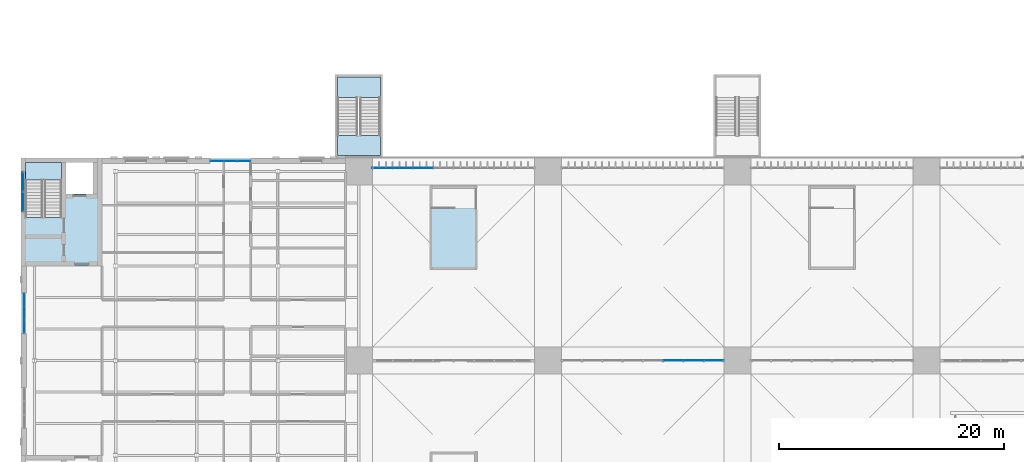
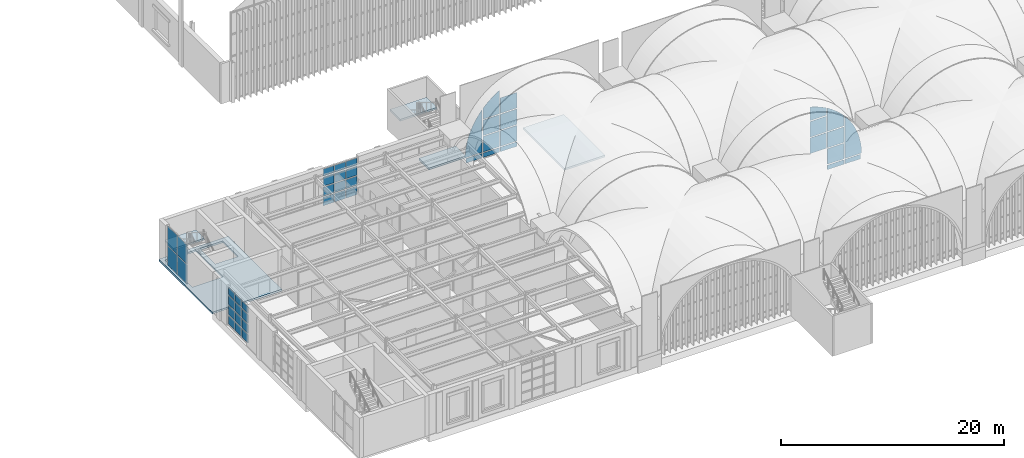
# One storey, part 78 of 169: 47 plates, 5 slabs, 7 elements without a shape of their own.
"""IFC4 building model written with IfcOpenShell, lengths in metres."""

from ifc_helpers import new_model, si_unit, direction, frame, origin, origin_2d, place, context, subcontext, project, spatial, polyline, rectangle, outline, extrude, material, layer, layer_set, type_object, element, aggregate, save


model = new_model("IFC4")

# Units and contexts
model_context = context("Model", 3, precision=1e-05, world=origin(), true_north=direction((0.0, 1.0)))
body_context = subcontext(model_context, "Body", "Model", "MODEL_VIEW")
ifc_project = project(units=[si_unit("LENGTHUNIT", "METRE"), si_unit("AREAUNIT", "SQUARE_METRE"), si_unit("VOLUMEUNIT", "CUBIC_METRE"), si_unit("PLANEANGLEUNIT", "RADIAN"), si_unit("MASSUNIT", "GRAM", prefix="KILO")], contexts=[model_context])

# Site, building, storey
site_placement = place(None, origin())
site = spatial("IfcSite", under=ifc_project, at=site_placement, CompositionType="ELEMENT")
building_placement = place(site_placement, origin())
building = spatial("IfcBuilding", under=site, at=building_placement, Name="Verrick Yard Athletic Hall", CompositionType="ELEMENT")
storey_placement = place(building_placement, frame((0.0, 0.0, 4.39990234375)))
storey = spatial("IfcBuildingStorey", under=building, at=storey_placement, Name="L01", CompositionType="ELEMENT", Elevation=4.39990234375)

# Slabs
ifc_material_1 = material(Name="Concrete 35 MPa", Category="concrete")
ifc_layer_1 = layer(ifc_material_1, 0.199951171875)
ifc_layer_set_1 = layer_set([ifc_layer_1], Name="Core floor slab 200")
slab_type_1 = type_object("IfcSlabType", Name="Core floor slab 200", PredefinedType="FLOOR", material=ifc_layer_set_1)
slab_1_placement = place(storey_placement, frame((0.0, 0.0, -0.199951171875)))
element("IfcSlab", 1, at=slab_1_placement, inside=storey, type_object=slab_type_1, Name="CORE-CB2-FLR-L01", PredefinedType="FLOOR", context=body_context, shape_type="SweptSolid", body=[
    extrude(outline(polyline([(10.0, 44.39990234375), (17.199951171875, 44.39990234375), (17.199951171875, 54.0), (10.0, 54.0), (10.0, 44.39990234375)]), holes=[polyline([(13.596923828125, 48.702880859375), (10.403076171875, 48.702880859375), (10.403076171875, 53.596923828125), (13.596923828125, 53.596923828125), (13.596923828125, 48.702880859375)]), polyline([(14.0029296875, 50.802978515625), (14.0029296875, 53.596923828125), (16.39697265625, 53.596923828125), (16.39697265625, 50.802978515625), (14.0029296875, 50.802978515625)])]), origin(), (0.0, 0.0, 1.0), 0.199951171875),
])
slab_2_placement = place(storey_placement, frame((0.0, 0.0, -0.199951171875)))
element("IfcSlab", 2, at=slab_2_placement, inside=storey, type_object=slab_type_1, Name="CORE-DT-N1-NL-L01", PredefinedType="FLOOR", context=body_context, shape_type="SweptSolid", body=[
    extrude(outline(polyline([(41.89990234375, 54.199951171875), (41.89990234375, 56.0), (38.10009765625, 56.0), (38.10009765625, 54.199951171875), (41.89990234375, 54.199951171875)])), origin(), (0.0, 0.0, 1.0), 0.199951171875),
])

# Curtain wall, plates
ifc_material_2 = material(Name="Aluminium 6063-T5", Category="aluminium")
curtain_wall_type_1 = type_object("IfcCurtainWallType", Name="Core glazing strip", PredefinedType="NOTDEFINED", material=ifc_material_2)
curtain_wall_1_placement = place(storey_placement, origin())
curtain_wall_1 = element("IfcCurtainWall", 3, at=curtain_wall_1_placement, inside=storey, type_object=curtain_wall_type_1, Name="CORE-CB2-CW-L01", PredefinedType="NOTDEFINED")
ifc_material_3 = material(Name="Glass IGU low-e", Category="glass")
ifc_layer_2 = layer(ifc_material_3, 0.028076171875)
ifc_layer_set_2 = layer_set([ifc_layer_2], Name="Core glazing panel 28")
plate_type_1 = type_object("IfcPlateType", Name="Core glazing panel 28", PredefinedType="CURTAIN_PANEL", material=ifc_layer_set_2)
plate_1_placement = place(storey_placement, frame((10.199951171875, 50.114990234375, 0.06005859375), z_axis=(0.0, 0.0, 1.0), x_axis=(0.0, 1.0, 0.0)))
plate_1 = element("IfcPlate", 4, at=plate_1_placement, type_object=plate_type_1, Name="CW5 panel 1.1", PredefinedType="CURTAIN_PANEL", context=body_context, shape_type="SweptSolid", body=[
    extrude(rectangle(XDim=1.7099609375, YDim=0.028076171875, at=origin_2d()), origin(), (0.0, 0.0, 1.0), 2.110107421875),
])
plate_2_placement = place(storey_placement, frame((10.199951171875, 50.114990234375, 2.22998046875), z_axis=(0.0, 0.0, 1.0), x_axis=(0.0, 1.0, 0.0)))
plate_2 = element("IfcPlate", 5, at=plate_2_placement, type_object=plate_type_1, Name="CW5 panel 1.2", PredefinedType="CURTAIN_PANEL", context=body_context, shape_type="SweptSolid", body=[
    extrude(rectangle(XDim=1.7099609375, YDim=0.028076171875, at=origin_2d()), origin(), (0.0, 0.0, 1.0), 2.110107421875),
])
plate_3_placement = place(storey_placement, frame((10.199951171875, 51.885009765625, 0.06005859375), z_axis=(0.0, 0.0, 1.0), x_axis=(0.0, 1.0, 0.0)))
plate_3 = element("IfcPlate", 6, at=plate_3_placement, type_object=plate_type_1, Name="CW5 panel 2.1", PredefinedType="CURTAIN_PANEL", context=body_context, shape_type="SweptSolid", body=[
    extrude(rectangle(XDim=1.7099609375, YDim=0.028076171875, at=origin_2d()), origin(), (0.0, 0.0, 1.0), 2.110107421875),
])
plate_4_placement = place(storey_placement, frame((10.199951171875, 51.885009765625, 2.22998046875), z_axis=(0.0, 0.0, 1.0), x_axis=(0.0, 1.0, 0.0)))
plate_4 = element("IfcPlate", 7, at=plate_4_placement, type_object=plate_type_1, Name="CW5 panel 2.2", PredefinedType="CURTAIN_PANEL", context=body_context, shape_type="SweptSolid", body=[
    extrude(rectangle(XDim=1.7099609375, YDim=0.028076171875, at=origin_2d()), origin(), (0.0, 0.0, 1.0), 2.110107421875),
])
aggregate(curtain_wall_1, [plate_1, plate_2, plate_3, plate_4])

# Slab
ifc_layer_3 = layer(ifc_material_1, 0.199951171875)
ifc_layer_set_3 = layer_set([ifc_layer_3], Name="Core roof slab 200")
slab_type_2 = type_object("IfcSlabType", Name="Core roof slab 200", PredefinedType="ROOF", material=ifc_layer_set_3)
slab_3_placement = place(storey_placement, frame((0.0, 0.0, 3.0)))
element("IfcSlab", 8, at=slab_3_placement, inside=storey, type_object=slab_type_2, Name="CORE-PS-N1-COVER", PredefinedType="ROOF", context=body_context, shape_type="SweptSolid", body=[
    extrude(outline(polyline([(46.300048828125, 44.10009765625), (50.5, 44.10009765625), (50.5, 51.5), (46.300048828125, 51.5), (46.300048828125, 44.10009765625)])), origin(), (0.0, 0.0, 1.0), 0.2001953125),
])

# Curtain wall, plates
ifc_material_4 = material(Name="Aluminium and glass curtain wall", Category="aluminium")
ifc_layer_4 = layer(ifc_material_4, 0.14990234375)
ifc_layer_set_4 = layer_set([ifc_layer_4], Name="Arcade glazing arch")
curtain_wall_type_2 = type_object("IfcCurtainWallType", Name="Arcade glazing arch", PredefinedType="NOTDEFINED", material=ifc_layer_set_4)
curtain_wall_2_placement = place(storey_placement, origin())
curtain_wall_2 = element("IfcCurtainWall", 9, at=curtain_wall_2_placement, inside=storey, type_object=curtain_wall_type_2, Name="Arcade glazing N1", PredefinedType="NOTDEFINED")
ifc_material_5 = material(Name="Laminated glass 28 mm", Category="glass")
ifc_layer_5 = layer(ifc_material_5, 0.028076171875)
ifc_layer_set_5 = layer_set([ifc_layer_5], Name="Curtain wall glass panel")
plate_type_2 = type_object("IfcPlateType", Name="Curtain wall glass panel", PredefinedType="CURTAIN_PANEL", material=ifc_layer_set_5)
plate_5_placement = place(storey_placement, frame((41.199951171875, 53.10009765625, 0.101806640625), z_axis=(0.0, 0.0, 1.0), x_axis=(1.0, 0.0, 0.0)))
plate_5 = element("IfcPlate", 10, at=plate_5_placement, type_object=plate_type_2, Name="Arcade glazing N1 panel 1", PredefinedType="CURTAIN_PANEL", context=body_context, shape_type="SweptSolid", body=[
    extrude(outline(polyline([(1.749267578125, 0.0), (1.749267578125, 0.49755859375), (0.10205078125, 0.49755859375), (0.10205078125, 0.0), (1.749267578125, 0.0)])), frame((0.0, 0.01416015625, 0.0), z_axis=(0.0, -1.0, 0.0), x_axis=(1.0, 0.0, 0.0)), (0.0, 0.0, 1.0), 0.028076171875),
])
plate_6_placement = place(storey_placement, frame((41.199951171875, 53.10009765625, 0.700927734375), z_axis=(0.0, 0.0, 1.0), x_axis=(1.0, 0.0, 0.0)))
plate_6 = element("IfcPlate", 11, at=plate_6_placement, type_object=plate_type_2, Name="Arcade glazing N1 panel 2", PredefinedType="CURTAIN_PANEL", context=body_context, shape_type="SweptSolid", body=[
    extrude(outline(polyline([(1.749267578125, 4.651123046875), (1.6845703125, 4.5771484375), (1.48779296875, 4.332275390625), (1.302001953125, 4.078857421875), (1.127685546875, 3.81787109375), (0.964599609375, 3.549072265625), (0.8134765625, 3.273681640625), (0.674560546875, 2.9921875), (0.548095703125, 2.70458984375), (0.43408203125, 2.41162109375), (0.333251953125, 2.1142578125), (0.245361328125, 1.812744140625), (0.170654296875, 1.507568359375), (0.109375, 1.199462890625), (0.0615234375, 0.888916015625), (0.02734375, 0.57666015625), (0.0068359375, 0.26318359375), (0.001220703125, 0.0), (1.749267578125, 0.0), (1.749267578125, 4.651123046875)])), frame((0.0, 0.01416015625, 0.0), z_axis=(0.0, -1.0, 0.0), x_axis=(1.0, 0.0, 0.0)), (0.0, 0.0, 1.0), 0.028076171875),
])
plate_7_placement = place(storey_placement, frame((41.199951171875, 53.10009765625, 0.101806640625), z_axis=(0.0, 0.0, 1.0), x_axis=(1.0, 0.0, 0.0)))
plate_7 = element("IfcPlate", 12, at=plate_7_placement, type_object=plate_type_2, Name="Arcade glazing N1 panel 3", PredefinedType="CURTAIN_PANEL", context=body_context, shape_type="SweptSolid", body=[
    extrude(outline(polyline([(3.54931640625, 0.0), (3.54931640625, 0.49755859375), (1.850830078125, 0.49755859375), (1.850830078125, 0.0), (3.54931640625, 0.0)])), frame((0.0, 0.01416015625, 0.0), z_axis=(0.0, -1.0, 0.0), x_axis=(1.0, 0.0, 0.0)), (0.0, 0.0, 1.0), 0.028076171875),
])
plate_8_placement = place(storey_placement, frame((41.199951171875, 53.10009765625, 0.700927734375), z_axis=(0.0, 0.0, 1.0), x_axis=(1.0, 0.0, 0.0)))
plate_8 = element("IfcPlate", 13, at=plate_8_placement, type_object=plate_type_2, Name="Arcade glazing N1 panel 4", PredefinedType="CURTAIN_PANEL", context=body_context, shape_type="SweptSolid", body=[
    extrude(outline(polyline([(3.54931640625, 0.0), (3.54931640625, 1.698486328125), (1.850830078125, 1.698486328125), (1.850830078125, 0.0), (3.54931640625, 0.0)])), frame((0.0, 0.01416015625, 0.0), z_axis=(0.0, -1.0, 0.0), x_axis=(1.0, 0.0, 0.0)), (0.0, 0.0, 1.0), 0.028076171875),
])
plate_9_placement = place(storey_placement, frame((41.199951171875, 53.10009765625, 2.5009765625), z_axis=(0.0, 0.0, 1.0), x_axis=(1.0, 0.0, 0.0)))
plate_9 = element("IfcPlate", 14, at=plate_9_placement, type_object=plate_type_2, Name="Arcade glazing N1 panel 5", PredefinedType="CURTAIN_PANEL", context=body_context, shape_type="SweptSolid", body=[
    extrude(outline(polyline([(3.54931640625, 0.0), (3.54931640625, 1.6982421875), (1.850830078125, 1.6982421875), (1.850830078125, 0.0), (3.54931640625, 0.0)])), frame((0.0, 0.01416015625, 0.0), z_axis=(0.0, -1.0, 0.0), x_axis=(1.0, 0.0, 0.0)), (0.0, 0.0, 1.0), 0.028076171875),
])
plate_10_placement = place(storey_placement, frame((41.199951171875, 53.10009765625, 4.30078125), z_axis=(0.0, 0.0, 1.0), x_axis=(1.0, 0.0, 0.0)))
plate_10 = element("IfcPlate", 15, at=plate_10_placement, type_object=plate_type_2, Name="Arcade glazing N1 panel 6", PredefinedType="CURTAIN_PANEL", context=body_context, shape_type="SweptSolid", body=[
    extrude(outline(polyline([(3.54931640625, 2.553955078125), (3.331298828125, 2.421630859375), (3.0703125, 2.247314453125), (2.81689453125, 2.0615234375), (2.572021484375, 1.86474609375), (2.335693359375, 1.65771484375), (2.10888671875, 1.4404296875), (1.8916015625, 1.213623046875), (1.850830078125, 1.1669921875), (1.850830078125, 0.0), (3.54931640625, 0.0), (3.54931640625, 2.553955078125)])), frame((0.0, 0.01416015625, 0.0), z_axis=(0.0, -1.0, 0.0), x_axis=(1.0, 0.0, 0.0)), (0.0, 0.0, 1.0), 0.028076171875),
])
plate_11_placement = place(storey_placement, frame((41.199951171875, 53.10009765625, 0.101806640625), z_axis=(0.0, 0.0, 1.0), x_axis=(1.0, 0.0, 0.0)))
plate_11 = element("IfcPlate", 16, at=plate_11_placement, type_object=plate_type_2, Name="Arcade glazing N1 panel 7", PredefinedType="CURTAIN_PANEL", context=body_context, shape_type="SweptSolid", body=[
    extrude(outline(polyline([(5.34912109375, 0.0), (5.34912109375, 0.49755859375), (3.65087890625, 0.49755859375), (3.65087890625, 0.0), (5.34912109375, 0.0)])), frame((0.0, 0.01416015625, 0.0), z_axis=(0.0, -1.0, 0.0), x_axis=(1.0, 0.0, 0.0)), (0.0, 0.0, 1.0), 0.028076171875),
])
plate_12_placement = place(storey_placement, frame((41.199951171875, 53.10009765625, 0.700927734375), z_axis=(0.0, 0.0, 1.0), x_axis=(1.0, 0.0, 0.0)))
plate_12 = element("IfcPlate", 17, at=plate_12_placement, type_object=plate_type_2, Name="Arcade glazing N1 panel 8", PredefinedType="CURTAIN_PANEL", context=body_context, shape_type="SweptSolid", body=[
    extrude(outline(polyline([(5.34912109375, 0.0), (5.34912109375, 1.698486328125), (3.65087890625, 1.698486328125), (3.65087890625, 0.0), (5.34912109375, 0.0)])), frame((0.0, 0.01416015625, 0.0), z_axis=(0.0, -1.0, 0.0), x_axis=(1.0, 0.0, 0.0)), (0.0, 0.0, 1.0), 0.028076171875),
])
plate_13_placement = place(storey_placement, frame((41.199951171875, 53.10009765625, 2.5009765625), z_axis=(0.0, 0.0, 1.0), x_axis=(1.0, 0.0, 0.0)))
plate_13 = element("IfcPlate", 18, at=plate_13_placement, type_object=plate_type_2, Name="Arcade glazing N1 panel 9", PredefinedType="CURTAIN_PANEL", context=body_context, shape_type="SweptSolid", body=[
    extrude(outline(polyline([(5.34912109375, 0.0), (5.34912109375, 1.6982421875), (3.65087890625, 1.6982421875), (3.65087890625, 0.0), (5.34912109375, 0.0)])), frame((0.0, 0.01416015625, 0.0), z_axis=(0.0, -1.0, 0.0), x_axis=(1.0, 0.0, 0.0)), (0.0, 0.0, 1.0), 0.028076171875),
])
plate_14_placement = place(storey_placement, frame((41.199951171875, 53.10009765625, 4.30078125), z_axis=(0.0, 0.0, 1.0), x_axis=(1.0, 0.0, 0.0)))
plate_14 = element("IfcPlate", 19, at=plate_14_placement, type_object=plate_type_2, Name="Arcade glazing N1 panel 10", PredefinedType="CURTAIN_PANEL", context=body_context, shape_type="SweptSolid", body=[
    extrude(outline(polyline([(5.34912109375, 0.0), (5.34912109375, 1.698486328125), (3.65087890625, 1.698486328125), (3.65087890625, 0.0), (5.34912109375, 0.0)])), frame((0.0, 0.01416015625, 0.0), z_axis=(0.0, -1.0, 0.0), x_axis=(1.0, 0.0, 0.0)), (0.0, 0.0, 1.0), 0.028076171875),
])
aggregate(curtain_wall_2, [plate_5, plate_6, plate_7, plate_8, plate_9, plate_10, plate_11, plate_12, plate_13, plate_14])

ifc_layer_6 = layer(ifc_material_4, 0.14990234375)
ifc_layer_set_6 = layer_set([ifc_layer_6], Name="Concourse arch screen")
curtain_wall_type_3 = type_object("IfcCurtainWallType", Name="Concourse arch screen", PredefinedType="NOTDEFINED", material=ifc_layer_set_6)
curtain_wall_3_placement = place(storey_placement, origin())
curtain_wall_3 = element("IfcCurtainWall", 20, at=curtain_wall_3_placement, inside=storey, type_object=curtain_wall_type_3, Name="Concourse screen 2", PredefinedType="NOTDEFINED")
plate_15_placement = place(storey_placement, frame((58.0, 36.0, 2.5009765625), z_axis=(0.0, 0.0, 1.0), x_axis=(1.0, 0.0, 0.0)))
plate_15 = element("IfcPlate", 21, at=plate_15_placement, type_object=plate_type_2, Name="Concourse screen 2 panel 24", PredefinedType="CURTAIN_PANEL", context=body_context, shape_type="SweptSolid", body=[
    extrude(outline(polyline([(10.749267578125, 0.0), (10.749267578125, 1.6982421875), (9.05078125, 1.6982421875), (9.05078125, 0.0), (10.749267578125, 0.0)])), frame((0.0, 0.01416015625, 0.0), z_axis=(0.0, -1.0, 0.0), x_axis=(1.0, 0.0, 0.0)), (0.0, 0.0, 1.0), 0.028076171875),
])
plate_16_placement = place(storey_placement, frame((58.0, 36.0, 4.30078125), z_axis=(0.0, 0.0, 1.0), x_axis=(1.0, 0.0, 0.0)))
plate_16 = element("IfcPlate", 22, at=plate_16_placement, type_object=plate_type_2, Name="Concourse screen 2 panel 25", PredefinedType="CURTAIN_PANEL", context=body_context, shape_type="SweptSolid", body=[
    extrude(outline(polyline([(10.749267578125, 0.0), (10.749267578125, 1.698486328125), (9.05078125, 1.698486328125), (9.05078125, 0.0), (10.749267578125, 0.0)])), frame((0.0, 0.01416015625, 0.0), z_axis=(0.0, -1.0, 0.0), x_axis=(1.0, 0.0, 0.0)), (0.0, 0.0, 1.0), 0.028076171875),
])
plate_17_placement = place(storey_placement, frame((58.0, 36.0, 6.100830078125), z_axis=(0.0, 0.0, 1.0), x_axis=(1.0, 0.0, 0.0)))
plate_17 = element("IfcPlate", 23, at=plate_17_placement, type_object=plate_type_2, Name="Concourse screen 2 panel 26", PredefinedType="CURTAIN_PANEL", context=body_context, shape_type="SweptSolid", body=[
    extrude(outline(polyline([(10.749267578125, 0.8125), (10.524658203125, 0.935791015625), (10.242919921875, 1.07470703125), (9.955322265625, 1.201171875), (9.66259765625, 1.315185546875), (9.364990234375, 1.416015625), (9.0634765625, 1.50390625), (9.05078125, 1.507080078125), (9.05078125, 0.0), (10.749267578125, 0.0), (10.749267578125, 0.8125)])), frame((0.0, 0.01416015625, 0.0), z_axis=(0.0, -1.0, 0.0), x_axis=(1.0, 0.0, 0.0)), (0.0, 0.0, 1.0), 0.028076171875),
])
plate_18_placement = place(storey_placement, frame((58.0, 36.0, 0.101806640625), z_axis=(0.0, 0.0, 1.0), x_axis=(1.0, 0.0, 0.0)))
plate_18 = element("IfcPlate", 24, at=plate_18_placement, type_object=plate_type_2, Name="Concourse screen 2 panel 27", PredefinedType="CURTAIN_PANEL", context=body_context, shape_type="SweptSolid", body=[
    extrude(outline(polyline([(12.54931640625, 0.0), (12.54931640625, 0.49755859375), (10.850830078125, 0.49755859375), (10.850830078125, 0.0), (12.54931640625, 0.0)])), frame((0.0, 0.01416015625, 0.0), z_axis=(0.0, -1.0, 0.0), x_axis=(1.0, 0.0, 0.0)), (0.0, 0.0, 1.0), 0.028076171875),
])
plate_19_placement = place(storey_placement, frame((58.0, 36.0, 0.700927734375), z_axis=(0.0, 0.0, 1.0), x_axis=(1.0, 0.0, 0.0)))
plate_19 = element("IfcPlate", 25, at=plate_19_placement, type_object=plate_type_2, Name="Concourse screen 2 panel 28", PredefinedType="CURTAIN_PANEL", context=body_context, shape_type="SweptSolid", body=[
    extrude(outline(polyline([(12.54931640625, 0.0), (12.54931640625, 1.698486328125), (10.850830078125, 1.698486328125), (10.850830078125, 0.0), (12.54931640625, 0.0)])), frame((0.0, 0.01416015625, 0.0), z_axis=(0.0, -1.0, 0.0), x_axis=(1.0, 0.0, 0.0)), (0.0, 0.0, 1.0), 0.028076171875),
])
plate_20_placement = place(storey_placement, frame((58.0, 36.0, 2.5009765625), z_axis=(0.0, 0.0, 1.0), x_axis=(1.0, 0.0, 0.0)))
plate_20 = element("IfcPlate", 26, at=plate_20_placement, type_object=plate_type_2, Name="Concourse screen 2 panel 29", PredefinedType="CURTAIN_PANEL", context=body_context, shape_type="SweptSolid", body=[
    extrude(outline(polyline([(12.54931640625, 0.0), (12.54931640625, 1.6982421875), (10.850830078125, 1.6982421875), (10.850830078125, 0.0), (12.54931640625, 0.0)])), frame((0.0, 0.01416015625, 0.0), z_axis=(0.0, -1.0, 0.0), x_axis=(1.0, 0.0, 0.0)), (0.0, 0.0, 1.0), 0.028076171875),
])
plate_21_placement = place(storey_placement, frame((58.0, 36.0, 4.30078125), z_axis=(0.0, 0.0, 1.0), x_axis=(1.0, 0.0, 0.0)))
plate_21 = element("IfcPlate", 27, at=plate_21_placement, type_object=plate_type_2, Name="Concourse screen 2 panel 30", PredefinedType="CURTAIN_PANEL", context=body_context, shape_type="SweptSolid", body=[
    extrude(outline(polyline([(12.54931640625, 1.1669921875), (12.50830078125, 1.213623046875), (12.291259765625, 1.4404296875), (12.064208984375, 1.65771484375), (11.828125, 1.86474609375), (11.5830078125, 2.0615234375), (11.329833984375, 2.247314453125), (11.068603515625, 2.421630859375), (10.850830078125, 2.553955078125), (10.850830078125, 0.0), (12.54931640625, 0.0), (12.54931640625, 1.1669921875)])), frame((0.0, 0.01416015625, 0.0), z_axis=(0.0, -1.0, 0.0), x_axis=(1.0, 0.0, 0.0)), (0.0, 0.0, 1.0), 0.028076171875),
])
plate_22_placement = place(storey_placement, frame((58.0, 36.0, 0.101806640625), z_axis=(0.0, 0.0, 1.0), x_axis=(1.0, 0.0, 0.0)))
plate_22 = element("IfcPlate", 28, at=plate_22_placement, type_object=plate_type_2, Name="Concourse screen 2 panel 31", PredefinedType="CURTAIN_PANEL", context=body_context, shape_type="SweptSolid", body=[
    extrude(outline(polyline([(14.2978515625, 0.0), (14.2978515625, 0.49755859375), (12.65087890625, 0.49755859375), (12.65087890625, 0.0), (14.2978515625, 0.0)])), frame((0.0, 0.01416015625, 0.0), z_axis=(0.0, -1.0, 0.0), x_axis=(1.0, 0.0, 0.0)), (0.0, 0.0, 1.0), 0.028076171875),
])
plate_23_placement = place(storey_placement, frame((58.0, 36.0, 0.700927734375), z_axis=(0.0, 0.0, 1.0), x_axis=(1.0, 0.0, 0.0)))
plate_23 = element("IfcPlate", 29, at=plate_23_placement, type_object=plate_type_2, Name="Concourse screen 2 panel 32", PredefinedType="CURTAIN_PANEL", context=body_context, shape_type="SweptSolid", body=[
    extrude(outline(polyline([(14.39892578125, 0.0), (14.39306640625, 0.26318359375), (14.37255859375, 0.57666015625), (14.33837890625, 0.888916015625), (14.29052734375, 1.199462890625), (14.229248046875, 1.507568359375), (14.15478515625, 1.812744140625), (14.06689453125, 2.1142578125), (13.9658203125, 2.41162109375), (13.851806640625, 2.70458984375), (13.725341796875, 2.9921875), (13.58642578125, 3.273681640625), (13.435302734375, 3.549072265625), (13.2724609375, 3.81787109375), (13.097900390625, 4.078857421875), (12.912109375, 4.332275390625), (12.715576171875, 4.5771484375), (12.65087890625, 4.651123046875), (12.65087890625, 0.0), (14.39892578125, 0.0)])), frame((0.0, 0.01416015625, 0.0), z_axis=(0.0, -1.0, 0.0), x_axis=(1.0, 0.0, 0.0)), (0.0, 0.0, 1.0), 0.028076171875),
])
aggregate(curtain_wall_3, [plate_15, plate_16, plate_17, plate_18, plate_19, plate_20, plate_21, plate_22, plate_23])

ifc_material_6 = material(Name="Anodised aluminium", Category="aluminium")
ifc_layer_7 = layer(ifc_material_6, 0.199951171875)
ifc_layer_set_7 = layer_set([ifc_layer_7], Name="Front glazing")
curtain_wall_type_4 = type_object("IfcCurtainWallType", Name="Front glazing", PredefinedType="NOTDEFINED", material=ifc_layer_set_7)
curtain_wall_4_placement = place(storey_placement, origin())
curtain_wall_4 = element("IfcCurtainWall", 30, at=curtain_wall_4_placement, inside=storey, type_object=curtain_wall_type_4, Name="ENVB-WN-L01-CW268", PredefinedType="NOTDEFINED")
ifc_layer_8 = layer(ifc_material_3, 0.03125)
ifc_layer_set_8 = layer_set([ifc_layer_8], Name="Glazing panel 31")
plate_type_3 = type_object("IfcPlateType", Name="Glazing panel 31", PredefinedType="CURTAIN_PANEL", material=ifc_layer_set_8)
plate_24_placement = place(storey_placement, frame((27.4150390625, 53.71875, 0.1201171875), z_axis=(0.0, 0.0, 1.0), x_axis=(1.0, 0.0, 0.0)))
plate_24 = element("IfcPlate", 31, at=plate_24_placement, type_object=plate_type_3, Name="ENVB-WN-L01-CW268/P00-00", PredefinedType="CURTAIN_PANEL", context=body_context, shape_type="SweptSolid", body=[
    extrude(rectangle(XDim=1.110107421875, YDim=0.03125, at=origin_2d()), origin(), (0.0, 0.0, 1.0), 0.919921875),
])
plate_25_placement = place(storey_placement, frame((27.4150390625, 53.71875, 1.16015625), z_axis=(0.0, 0.0, 1.0), x_axis=(1.0, 0.0, 0.0)))
plate_25 = element("IfcPlate", 32, at=plate_25_placement, type_object=plate_type_3, Name="ENVB-WN-L01-CW268/P00-01", PredefinedType="CURTAIN_PANEL", context=body_context, shape_type="SweptSolid", body=[
    extrude(rectangle(XDim=1.110107421875, YDim=0.03125, at=origin_2d()), origin(), (0.0, 0.0, 1.0), 0.97998046875),
])
plate_26_placement = place(storey_placement, frame((27.4150390625, 53.71875, 2.260009765625), z_axis=(0.0, 0.0, 1.0), x_axis=(1.0, 0.0, 0.0)))
plate_26 = element("IfcPlate", 33, at=plate_26_placement, type_object=plate_type_3, Name="ENVB-WN-L01-CW268/P00-02", PredefinedType="CURTAIN_PANEL", context=body_context, shape_type="SweptSolid", body=[
    extrude(rectangle(XDim=1.110107421875, YDim=0.03125, at=origin_2d()), origin(), (0.0, 0.0, 1.0), 0.97998046875),
])
plate_27_placement = place(storey_placement, frame((27.4150390625, 53.71875, 3.360107421875), z_axis=(0.0, 0.0, 1.0), x_axis=(1.0, 0.0, 0.0)))
plate_27 = element("IfcPlate", 34, at=plate_27_placement, type_object=plate_type_3, Name="ENVB-WN-L01-CW268/P00-03", PredefinedType="CURTAIN_PANEL", context=body_context, shape_type="SweptSolid", body=[
    extrude(rectangle(XDim=1.110107421875, YDim=0.03125, at=origin_2d()), origin(), (0.0, 0.0, 1.0), 0.77001953125),
])
plate_28_placement = place(storey_placement, frame((28.60009765625, 53.71875, 0.1201171875), z_axis=(0.0, 0.0, 1.0), x_axis=(1.0, 0.0, 0.0)))
plate_28 = element("IfcPlate", 35, at=plate_28_placement, type_object=plate_type_3, Name="ENVB-WN-L01-CW268/P01-00", PredefinedType="CURTAIN_PANEL", context=body_context, shape_type="SweptSolid", body=[
    extrude(rectangle(XDim=1.139892578125, YDim=0.03125, at=origin_2d()), origin(), (0.0, 0.0, 1.0), 0.919921875),
])
plate_29_placement = place(storey_placement, frame((28.60009765625, 53.71875, 1.16015625), z_axis=(0.0, 0.0, 1.0), x_axis=(1.0, 0.0, 0.0)))
plate_29 = element("IfcPlate", 36, at=plate_29_placement, type_object=plate_type_3, Name="ENVB-WN-L01-CW268/P01-01", PredefinedType="CURTAIN_PANEL", context=body_context, shape_type="SweptSolid", body=[
    extrude(rectangle(XDim=1.139892578125, YDim=0.03125, at=origin_2d()), origin(), (0.0, 0.0, 1.0), 0.97998046875),
])
plate_30_placement = place(storey_placement, frame((28.60009765625, 53.71875, 2.260009765625), z_axis=(0.0, 0.0, 1.0), x_axis=(1.0, 0.0, 0.0)))
plate_30 = element("IfcPlate", 37, at=plate_30_placement, type_object=plate_type_3, Name="ENVB-WN-L01-CW268/P01-02", PredefinedType="CURTAIN_PANEL", context=body_context, shape_type="SweptSolid", body=[
    extrude(rectangle(XDim=1.139892578125, YDim=0.03125, at=origin_2d()), origin(), (0.0, 0.0, 1.0), 0.97998046875),
])
plate_31_placement = place(storey_placement, frame((28.60009765625, 53.71875, 3.360107421875), z_axis=(0.0, 0.0, 1.0), x_axis=(1.0, 0.0, 0.0)))
plate_31 = element("IfcPlate", 38, at=plate_31_placement, type_object=plate_type_3, Name="ENVB-WN-L01-CW268/P01-03", PredefinedType="CURTAIN_PANEL", context=body_context, shape_type="SweptSolid", body=[
    extrude(rectangle(XDim=1.139892578125, YDim=0.03125, at=origin_2d()), origin(), (0.0, 0.0, 1.0), 0.77001953125),
])
plate_32_placement = place(storey_placement, frame((29.784912109375, 53.71875, 0.1201171875), z_axis=(0.0, 0.0, 1.0), x_axis=(1.0, 0.0, 0.0)))
plate_32 = element("IfcPlate", 39, at=plate_32_placement, type_object=plate_type_3, Name="ENVB-WN-L01-CW268/P02-00", PredefinedType="CURTAIN_PANEL", context=body_context, shape_type="SweptSolid", body=[
    extrude(rectangle(XDim=1.110107421875, YDim=0.03125, at=origin_2d()), origin(), (0.0, 0.0, 1.0), 0.919921875),
])
plate_33_placement = place(storey_placement, frame((29.784912109375, 53.71875, 1.16015625), z_axis=(0.0, 0.0, 1.0), x_axis=(1.0, 0.0, 0.0)))
plate_33 = element("IfcPlate", 40, at=plate_33_placement, type_object=plate_type_3, Name="ENVB-WN-L01-CW268/P02-01", PredefinedType="CURTAIN_PANEL", context=body_context, shape_type="SweptSolid", body=[
    extrude(rectangle(XDim=1.110107421875, YDim=0.03125, at=origin_2d()), origin(), (0.0, 0.0, 1.0), 0.97998046875),
])
plate_34_placement = place(storey_placement, frame((29.784912109375, 53.71875, 2.260009765625), z_axis=(0.0, 0.0, 1.0), x_axis=(1.0, 0.0, 0.0)))
plate_34 = element("IfcPlate", 41, at=plate_34_placement, type_object=plate_type_3, Name="ENVB-WN-L01-CW268/P02-02", PredefinedType="CURTAIN_PANEL", context=body_context, shape_type="SweptSolid", body=[
    extrude(rectangle(XDim=1.110107421875, YDim=0.03125, at=origin_2d()), origin(), (0.0, 0.0, 1.0), 0.97998046875),
])
plate_35_placement = place(storey_placement, frame((29.784912109375, 53.71875, 3.360107421875), z_axis=(0.0, 0.0, 1.0), x_axis=(1.0, 0.0, 0.0)))
plate_35 = element("IfcPlate", 42, at=plate_35_placement, type_object=plate_type_3, Name="ENVB-WN-L01-CW268/P02-03", PredefinedType="CURTAIN_PANEL", context=body_context, shape_type="SweptSolid", body=[
    extrude(rectangle(XDim=1.110107421875, YDim=0.03125, at=origin_2d()), origin(), (0.0, 0.0, 1.0), 0.77001953125),
])
aggregate(curtain_wall_4, [plate_24, plate_25, plate_26, plate_27, plate_28, plate_29, plate_30, plate_31, plate_32, plate_33, plate_34, plate_35])

curtain_wall_5_placement = place(storey_placement, origin())
curtain_wall_5 = element("IfcCurtainWall", 43, at=curtain_wall_5_placement, inside=storey, type_object=curtain_wall_type_4, Name="ENVB-WW-L01-CW384", PredefinedType="NOTDEFINED")
plate_36_placement = place(storey_placement, frame((10.28125, 39.014892578125, 0.1201171875), z_axis=(0.0, 0.0, 1.0), x_axis=(0.0, 1.0, 0.0)))
plate_36 = element("IfcPlate", 44, at=plate_36_placement, type_object=plate_type_3, Name="ENVB-WW-L01-CW384/P00-00", PredefinedType="CURTAIN_PANEL", context=body_context, shape_type="SweptSolid", body=[
    extrude(rectangle(XDim=1.110107421875, YDim=0.03125, at=origin_2d()), origin(), (0.0, 0.0, 1.0), 0.919921875),
])
plate_37_placement = place(storey_placement, frame((10.28125, 39.014892578125, 1.16015625), z_axis=(0.0, 0.0, 1.0), x_axis=(0.0, 1.0, 0.0)))
plate_37 = element("IfcPlate", 45, at=plate_37_placement, type_object=plate_type_3, Name="ENVB-WW-L01-CW384/P00-01", PredefinedType="CURTAIN_PANEL", context=body_context, shape_type="SweptSolid", body=[
    extrude(rectangle(XDim=1.110107421875, YDim=0.03125, at=origin_2d()), origin(), (0.0, 0.0, 1.0), 0.97998046875),
])
plate_38_placement = place(storey_placement, frame((10.28125, 39.014892578125, 2.260009765625), z_axis=(0.0, 0.0, 1.0), x_axis=(0.0, 1.0, 0.0)))
plate_38 = element("IfcPlate", 46, at=plate_38_placement, type_object=plate_type_3, Name="ENVB-WW-L01-CW384/P00-02", PredefinedType="CURTAIN_PANEL", context=body_context, shape_type="SweptSolid", body=[
    extrude(rectangle(XDim=1.110107421875, YDim=0.03125, at=origin_2d()), origin(), (0.0, 0.0, 1.0), 0.97998046875),
])
plate_39_placement = place(storey_placement, frame((10.28125, 39.014892578125, 3.360107421875), z_axis=(0.0, 0.0, 1.0), x_axis=(0.0, 1.0, 0.0)))
plate_39 = element("IfcPlate", 47, at=plate_39_placement, type_object=plate_type_3, Name="ENVB-WW-L01-CW384/P00-03", PredefinedType="CURTAIN_PANEL", context=body_context, shape_type="SweptSolid", body=[
    extrude(rectangle(XDim=1.110107421875, YDim=0.03125, at=origin_2d()), origin(), (0.0, 0.0, 1.0), 0.77001953125),
])
plate_40_placement = place(storey_placement, frame((10.28125, 40.199951171875, 0.1201171875), z_axis=(0.0, 0.0, 1.0), x_axis=(0.0, 1.0, 0.0)))
plate_40 = element("IfcPlate", 48, at=plate_40_placement, type_object=plate_type_3, Name="ENVB-WW-L01-CW384/P01-00", PredefinedType="CURTAIN_PANEL", context=body_context, shape_type="SweptSolid", body=[
    extrude(rectangle(XDim=1.139892578125, YDim=0.03125, at=origin_2d()), origin(), (0.0, 0.0, 1.0), 0.919921875),
])
plate_41_placement = place(storey_placement, frame((10.28125, 40.199951171875, 1.16015625), z_axis=(0.0, 0.0, 1.0), x_axis=(0.0, 1.0, 0.0)))
plate_41 = element("IfcPlate", 49, at=plate_41_placement, type_object=plate_type_3, Name="ENVB-WW-L01-CW384/P01-01", PredefinedType="CURTAIN_PANEL", context=body_context, shape_type="SweptSolid", body=[
    extrude(rectangle(XDim=1.139892578125, YDim=0.03125, at=origin_2d()), origin(), (0.0, 0.0, 1.0), 0.97998046875),
])
plate_42_placement = place(storey_placement, frame((10.28125, 40.199951171875, 2.260009765625), z_axis=(0.0, 0.0, 1.0), x_axis=(0.0, 1.0, 0.0)))
plate_42 = element("IfcPlate", 50, at=plate_42_placement, type_object=plate_type_3, Name="ENVB-WW-L01-CW384/P01-02", PredefinedType="CURTAIN_PANEL", context=body_context, shape_type="SweptSolid", body=[
    extrude(rectangle(XDim=1.139892578125, YDim=0.03125, at=origin_2d()), origin(), (0.0, 0.0, 1.0), 0.97998046875),
])
plate_43_placement = place(storey_placement, frame((10.28125, 40.199951171875, 3.360107421875), z_axis=(0.0, 0.0, 1.0), x_axis=(0.0, 1.0, 0.0)))
plate_43 = element("IfcPlate", 51, at=plate_43_placement, type_object=plate_type_3, Name="ENVB-WW-L01-CW384/P01-03", PredefinedType="CURTAIN_PANEL", context=body_context, shape_type="SweptSolid", body=[
    extrude(rectangle(XDim=1.139892578125, YDim=0.03125, at=origin_2d()), origin(), (0.0, 0.0, 1.0), 0.77001953125),
])
plate_44_placement = place(storey_placement, frame((10.28125, 41.385009765625, 0.1201171875), z_axis=(0.0, 0.0, 1.0), x_axis=(0.0, 1.0, 0.0)))
plate_44 = element("IfcPlate", 52, at=plate_44_placement, type_object=plate_type_3, Name="ENVB-WW-L01-CW384/P02-00", PredefinedType="CURTAIN_PANEL", context=body_context, shape_type="SweptSolid", body=[
    extrude(rectangle(XDim=1.110107421875, YDim=0.03125, at=origin_2d()), origin(), (0.0, 0.0, 1.0), 0.919921875),
])
plate_45_placement = place(storey_placement, frame((10.28125, 41.385009765625, 1.16015625), z_axis=(0.0, 0.0, 1.0), x_axis=(0.0, 1.0, 0.0)))
plate_45 = element("IfcPlate", 53, at=plate_45_placement, type_object=plate_type_3, Name="ENVB-WW-L01-CW384/P02-01", PredefinedType="CURTAIN_PANEL", context=body_context, shape_type="SweptSolid", body=[
    extrude(rectangle(XDim=1.110107421875, YDim=0.03125, at=origin_2d()), origin(), (0.0, 0.0, 1.0), 0.97998046875),
])
plate_46_placement = place(storey_placement, frame((10.28125, 41.385009765625, 2.260009765625), z_axis=(0.0, 0.0, 1.0), x_axis=(0.0, 1.0, 0.0)))
plate_46 = element("IfcPlate", 54, at=plate_46_placement, type_object=plate_type_3, Name="ENVB-WW-L01-CW384/P02-02", PredefinedType="CURTAIN_PANEL", context=body_context, shape_type="SweptSolid", body=[
    extrude(rectangle(XDim=1.110107421875, YDim=0.03125, at=origin_2d()), origin(), (0.0, 0.0, 1.0), 0.97998046875),
])
plate_47_placement = place(storey_placement, frame((10.28125, 41.385009765625, 3.360107421875), z_axis=(0.0, 0.0, 1.0), x_axis=(0.0, 1.0, 0.0)))
plate_47 = element("IfcPlate", 55, at=plate_47_placement, type_object=plate_type_3, Name="ENVB-WW-L01-CW384/P02-03", PredefinedType="CURTAIN_PANEL", context=body_context, shape_type="SweptSolid", body=[
    extrude(rectangle(XDim=1.110107421875, YDim=0.03125, at=origin_2d()), origin(), (0.0, 0.0, 1.0), 0.77001953125),
])
aggregate(curtain_wall_5, [plate_36, plate_37, plate_38, plate_39, plate_40, plate_41, plate_42, plate_43, plate_44, plate_45, plate_46, plate_47])

# Stair, slab
stair_type_1 = type_object("IfcStairType", Name="Stair ST1 1500 wide 26 risers", PredefinedType="HALF_TURN_STAIR", material=ifc_material_1)
stair_1_placement = place(storey_placement, origin())
stair_1 = element("IfcStair", 56, at=stair_1_placement, inside=storey, type_object=stair_type_1, Name="Wing north-west stair L01", PredefinedType="HALF_TURN_STAIR")
ifc_layer_9 = layer(ifc_material_1, 0.199951171875)
ifc_layer_set_9 = layer_set([ifc_layer_9], Name="Stair landing slab 200")
slab_type_3 = type_object("IfcSlabType", Name="Stair landing slab 200", PredefinedType="LANDING", material=ifc_layer_set_9)
slab_4_placement = place(storey_placement, frame((0.0, 0.0, 2.0)))
slab_4 = element("IfcSlab", 57, at=slab_4_placement, type_object=slab_type_3, Name="ST1 landing 1", PredefinedType="LANDING", context=body_context, shape_type="SweptSolid", body=[
    extrude(outline(polyline([(13.60009765625, 52.06005859375), (13.60009765625, 53.60009765625), (10.39990234375, 53.60009765625), (10.39990234375, 52.06005859375), (13.60009765625, 52.06005859375)])), origin(), (0.0, 0.0, 1.0), 0.2001953125),
])
aggregate(stair_1, [slab_4])

stair_type_2 = type_object("IfcStairType", Name="Stair ST3 1800 wide 26 risers", PredefinedType="HALF_TURN_STAIR", material=ifc_material_1)
stair_2_placement = place(storey_placement, origin())
stair_2 = element("IfcStair", 58, at=stair_2_placement, inside=storey, type_object=stair_type_2, Name="North deck escape 1 stair L01", PredefinedType="HALF_TURN_STAIR")
slab_5_placement = place(storey_placement, frame((0.0, 0.0, 2.0)))
slab_5 = element("IfcSlab", 59, at=slab_5_placement, type_object=slab_type_3, Name="ST3 landing 1", PredefinedType="LANDING", context=body_context, shape_type="SweptSolid", body=[
    extrude(outline(polyline([(41.89990234375, 59.360107421875), (41.89990234375, 61.199951171875), (38.10009765625, 61.199951171875), (38.10009765625, 59.360107421875), (41.89990234375, 59.360107421875)])), origin(), (0.0, 0.0, 1.0), 0.2001953125),
])
aggregate(stair_2, [slab_5])

save(model, "model.ifc")
